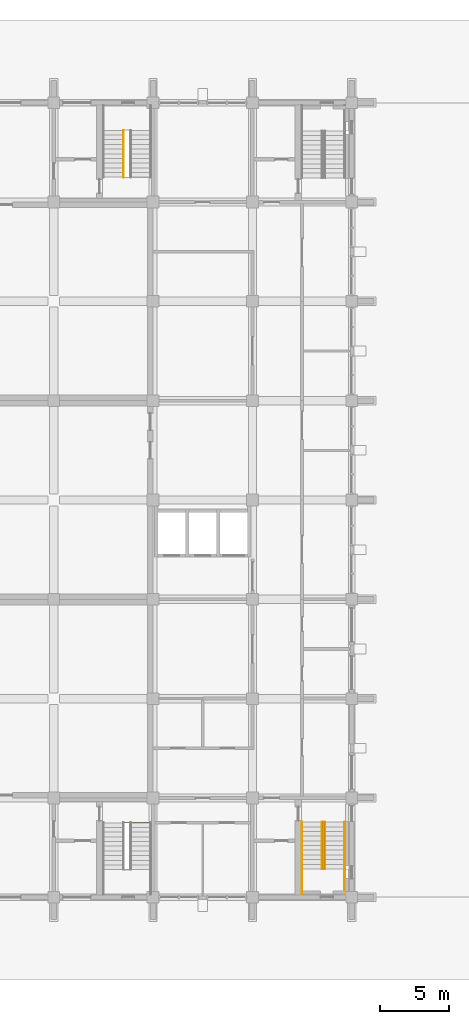
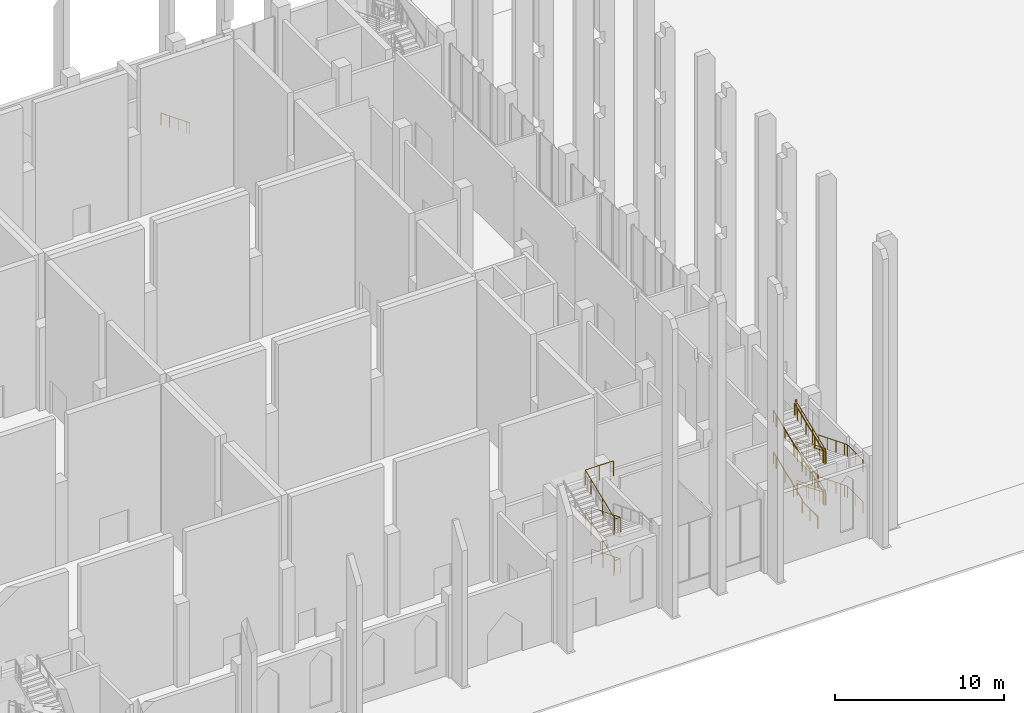
# One storey, part 48 of 50: 11 railings.
"""IFC4 building model written with IfcOpenShell, lengths in metres."""

from ifc_helpers import new_model, si_unit, direction, frame, origin, origin_2d, place, context, subcontext, project, spatial, circle, extrude, material, type_object, element, save


model = new_model("IFC4")

# Units and contexts
model_context = context("Model", 3, precision=1e-05, world=origin(), true_north=direction((0.0, 1.0)))
body_context = subcontext(model_context, "Body", "Model", "MODEL_VIEW")
ifc_project = project(units=[si_unit("LENGTHUNIT", "METRE"), si_unit("AREAUNIT", "SQUARE_METRE"), si_unit("VOLUMEUNIT", "CUBIC_METRE"), si_unit("PLANEANGLEUNIT", "RADIAN"), si_unit("MASSUNIT", "GRAM", prefix="KILO")], contexts=[model_context])

# Site, building, storey
site_placement = place(None, origin())
site = spatial("IfcSite", under=ifc_project, at=site_placement, CompositionType="ELEMENT")
building_placement = place(site_placement, origin())
building = spatial("IfcBuilding", under=site, at=building_placement, Name="Silangan Lancet Faculty of Sciences", CompositionType="ELEMENT")
storey_placement = place(building_placement, origin())
storey = spatial("IfcBuildingStorey", under=building, at=storey_placement, Name="L00", CompositionType="ELEMENT", Elevation=0.0)

# Railings
ifc_material_1 = material(Name="Steel balustrade", Category="steel")
railing_type_1 = type_object("IfcRailingType", Name="STAIR GUARD 1100", PredefinedType="GUARDRAIL", material=ifc_material_1)
railing_1_placement = place(storey_placement, frame((84.39990234375, 5.449951171875, 0.136474609375)))
element("IfcRailing", 1, at=railing_1_placement, inside=storey, type_object=railing_type_1, Name="GUARD-EB-A-L00", PredefinedType="GUARDRAIL", context=body_context, shape_type="SweptSolid", body=[
    extrude(circle(Radius=0.02392578125, at=origin_2d()), frame((0.0, 0.0, 1.076171875), z_axis=(0.0, -0.928131538224, 0.372252397916), x_axis=(1.0, 0.0, 0.0)), (0.0, 0.0, 1.0), 1.465087890625),
    extrude(circle(Radius=0.02392578125, at=origin_2d()), frame((0.0, -1.35986328125, 1.62158203125), z_axis=(0.0, -0.928154623156, 0.372194835421), x_axis=(1.0, 0.0, 0.0)), (0.0, 0.0, 1.0), 1.46533203125),
    extrude(circle(Radius=0.02392578125, at=origin_2d()), frame((0.0, -2.719970703125, 2.1669921875), z_axis=(0.0, -0.928131538224, 0.372252397916), x_axis=(1.0, 0.0, 0.0)), (0.0, 0.0, 1.0), 0.732666015625),
    extrude(circle(Radius=0.02392578125, at=origin_2d()), frame((0.0, -3.39990234375, 2.439453125), z_axis=(-1.0, 0.0, 0.0), x_axis=(0.0, -1.0, 0.0)), (0.0, 0.0, 1.0), 0.099853515625),
    extrude(circle(Radius=0.02392578125, at=origin_2d()), frame((-0.099853515625, -3.39990234375, 2.439453125), z_axis=(0.0, 0.0, 1.0), x_axis=(1.0, 0.0, 0.0)), (0.0, 0.0, 1.0), 0.136474609375),
    extrude(circle(Radius=0.02392578125, at=origin_2d()), frame((-0.099853515625, -3.39990234375, 2.576171875), z_axis=(0.0, 0.928131538224, 0.372252397916), x_axis=(-1.0, 0.0, 0.0)), (0.0, 0.0, 1.0), 1.465087890625),
    extrude(circle(Radius=0.02392578125, at=origin_2d()), frame((-0.099853515625, -2.0400390625, 3.12158203125), z_axis=(0.0, 0.928154623156, 0.372194835421), x_axis=(-1.0, 0.0, 0.0)), (0.0, 0.0, 1.0), 1.46533203125),
    extrude(circle(Radius=0.02392578125, at=origin_2d()), frame((-0.099853515625, -0.679931640625, 3.6669921875), z_axis=(0.0, 0.928131538224, 0.372252397916), x_axis=(-1.0, 0.0, 0.0)), (0.0, 0.0, 1.0), 0.732666015625),
    extrude(circle(Radius=0.02392578125, at=origin_2d()), frame((-0.099853515625, 0.0, 3.939453125), z_axis=(1.0, 0.0, 0.0), x_axis=(0.0, 1.0, 0.0)), (0.0, 0.0, 1.0), 0.099853515625),
    extrude(circle(Radius=0.02392578125, at=origin_2d()), frame((0.0, 0.0, 3.939453125), z_axis=(0.0, 0.0, 1.0), x_axis=(1.0, 0.0, 0.0)), (0.0, 0.0, 1.0), 0.136474609375),
    extrude(circle(Radius=0.02392578125, at=origin_2d()), frame((0.0, 0.0, 4.076171875), z_axis=(0.0, -0.928131538224, 0.372252397916), x_axis=(1.0, 0.0, 0.0)), (0.0, 0.0, 1.0), 1.465087890625),
    extrude(circle(Radius=0.02392578125, at=origin_2d()), frame((0.0, -1.35986328125, 4.62158203125), z_axis=(0.0, -0.928154623156, 0.372194835421), x_axis=(1.0, 0.0, 0.0)), (0.0, 0.0, 1.0), 1.46533203125),
    extrude(circle(Radius=0.02392578125, at=origin_2d()), frame((0.0, -2.719970703125, 5.1669921875), z_axis=(0.0, -0.928131538224, 0.372252397916), x_axis=(1.0, 0.0, 0.0)), (0.0, 0.0, 1.0), 0.732666015625),
    extrude(circle(Radius=0.02392578125, at=origin_2d()), frame((0.0, -3.39990234375, 5.439453125), z_axis=(-1.0, 0.0, 0.0), x_axis=(0.0, -1.0, 0.0)), (0.0, 0.0, 1.0), 0.099853515625),
    extrude(circle(Radius=0.02392578125, at=origin_2d()), frame((-0.099853515625, -3.39990234375, 5.439453125), z_axis=(0.0, 0.0, 1.0), x_axis=(1.0, 0.0, 0.0)), (0.0, 0.0, 1.0), 0.136474609375),
    extrude(circle(Radius=0.02392578125, at=origin_2d()), frame((-0.099853515625, -3.39990234375, 5.576171875), z_axis=(0.0, 0.928131538224, 0.372252397916), x_axis=(-1.0, 0.0, 0.0)), (0.0, 0.0, 1.0), 1.465087890625),
    extrude(circle(Radius=0.02392578125, at=origin_2d()), frame((-0.099853515625, -2.0400390625, 6.12158203125), z_axis=(0.0, 0.928154623156, 0.372194835421), x_axis=(-1.0, 0.0, 0.0)), (0.0, 0.0, 1.0), 1.46533203125),
    extrude(circle(Radius=0.02392578125, at=origin_2d()), frame((-0.099853515625, -0.679931640625, 6.6669921875), z_axis=(0.0, 0.928131538224, 0.372252397916), x_axis=(-1.0, 0.0, 0.0)), (0.0, 0.0, 1.0), 0.732666015625),
    extrude(circle(Radius=0.02392578125, at=origin_2d()), frame((-0.099853515625, 0.0, 6.939453125), z_axis=(1.0, 0.0, 0.0), x_axis=(0.0, 1.0, 0.0)), (0.0, 0.0, 1.0), 0.099853515625),
    extrude(circle(Radius=0.02099609375, at=origin_2d()), origin(), (0.0, 0.0, 1.0), 1.052001953125),
    extrude(circle(Radius=0.02099609375, at=origin_2d()), frame((0.0, -1.35986328125, 0.54541015625)), (0.0, 0.0, 1.0), 1.052001953125),
    extrude(circle(Radius=0.02099609375, at=origin_2d()), frame((0.0, -2.719970703125, 1.0908203125)), (0.0, 0.0, 1.0), 1.052001953125),
    extrude(circle(Radius=0.02099609375, at=origin_2d()), frame((0.0, -3.39990234375, 1.363525390625)), (0.0, 0.0, 1.0), 1.052001953125),
    extrude(circle(Radius=0.02099609375, at=origin_2d()), frame((-0.099853515625, -3.39990234375, 1.363525390625)), (0.0, 0.0, 1.0), 1.052001953125),
    extrude(circle(Radius=0.02099609375, at=origin_2d()), frame((-0.099853515625, -3.39990234375, 1.5)), (0.0, 0.0, 1.0), 1.052001953125),
    extrude(circle(Radius=0.02099609375, at=origin_2d()), frame((-0.099853515625, -2.0400390625, 2.04541015625)), (0.0, 0.0, 1.0), 1.052001953125),
    extrude(circle(Radius=0.02099609375, at=origin_2d()), frame((-0.099853515625, -0.679931640625, 2.5908203125)), (0.0, 0.0, 1.0), 1.052001953125),
    extrude(circle(Radius=0.02099609375, at=origin_2d()), frame((-0.099853515625, 0.0, 2.863525390625)), (0.0, 0.0, 1.0), 1.052001953125),
    extrude(circle(Radius=0.02099609375, at=origin_2d()), frame((0.0, 0.0, 2.863525390625)), (0.0, 0.0, 1.0), 1.052001953125),
    extrude(circle(Radius=0.02099609375, at=origin_2d()), frame((0.0, 0.0, 3.0)), (0.0, 0.0, 1.0), 1.052001953125),
    extrude(circle(Radius=0.02099609375, at=origin_2d()), frame((0.0, -1.35986328125, 3.54541015625)), (0.0, 0.0, 1.0), 1.052001953125),
    extrude(circle(Radius=0.02099609375, at=origin_2d()), frame((0.0, -2.719970703125, 4.0908203125)), (0.0, 0.0, 1.0), 1.052001953125),
    extrude(circle(Radius=0.02099609375, at=origin_2d()), frame((0.0, -3.39990234375, 4.363525390625)), (0.0, 0.0, 1.0), 1.052001953125),
    extrude(circle(Radius=0.02099609375, at=origin_2d()), frame((-0.099853515625, -3.39990234375, 4.363525390625)), (0.0, 0.0, 1.0), 1.052001953125),
    extrude(circle(Radius=0.02099609375, at=origin_2d()), frame((-0.099853515625, -3.39990234375, 4.5)), (0.0, 0.0, 1.0), 1.052001953125),
    extrude(circle(Radius=0.02099609375, at=origin_2d()), frame((-0.099853515625, -2.0400390625, 5.04541015625)), (0.0, 0.0, 1.0), 1.052001953125),
    extrude(circle(Radius=0.02099609375, at=origin_2d()), frame((-0.099853515625, -0.679931640625, 5.5908203125)), (0.0, 0.0, 1.0), 1.052001953125),
    extrude(circle(Radius=0.02099609375, at=origin_2d()), frame((-0.099853515625, 0.0, 5.863525390625)), (0.0, 0.0, 1.0), 1.052001953125),
    extrude(circle(Radius=0.02099609375, at=origin_2d()), frame((0.0, 0.0, 5.863525390625)), (0.0, 0.0, 1.0), 1.052001953125),
])
railing_2_placement = place(storey_placement, frame((70.324951171875, 5.39990234375, 0.136474609375)))
element("IfcRailing", 2, at=railing_2_placement, inside=storey, type_object=railing_type_1, Name="GUARD-SAB-B-L00", PredefinedType="GUARDRAIL", context=body_context, shape_type="SweptSolid", body=[
    extrude(circle(Radius=0.02392578125, at=origin_2d()), frame((0.0, 0.0, 1.076171875), z_axis=(0.0, -0.928131538224, 0.372252397916), x_axis=(1.0, 0.0, 0.0)), (0.0, 0.0, 1.0), 1.465087890625),
    extrude(circle(Radius=0.02392578125, at=origin_2d()), frame((0.0, -1.35986328125, 1.62158203125), z_axis=(0.0, -0.928154623156, 0.372194835421), x_axis=(1.0, 0.0, 0.0)), (0.0, 0.0, 1.0), 1.46533203125),
    extrude(circle(Radius=0.02392578125, at=origin_2d()), frame((0.0, -2.719970703125, 2.1669921875), z_axis=(0.0, -0.928131538224, 0.372252397916), x_axis=(1.0, 0.0, 0.0)), (0.0, 0.0, 1.0), 0.732666015625),
    extrude(circle(Radius=0.02392578125, at=origin_2d()), frame((0.0, -3.39990234375, 2.439453125), z_axis=(-1.0, 0.0, 0.0), x_axis=(0.0, -1.0, 0.0)), (0.0, 0.0, 1.0), 0.425048828125),
    extrude(circle(Radius=0.02392578125, at=origin_2d()), frame((-0.425048828125, -3.39990234375, 2.439453125), z_axis=(0.0, 0.0, 1.0), x_axis=(1.0, 0.0, 0.0)), (0.0, 0.0, 1.0), 0.136474609375),
    extrude(circle(Radius=0.02392578125, at=origin_2d()), frame((-0.425048828125, -3.39990234375, 2.576171875), z_axis=(0.0, 0.928154623156, 0.372194835421), x_axis=(-1.0, 0.0, 0.0)), (0.0, 0.0, 1.0), 1.46533203125),
    extrude(circle(Radius=0.02392578125, at=origin_2d()), frame((-0.425048828125, -2.039794921875, 3.12158203125), z_axis=(0.0, 0.928131538224, 0.372252397916), x_axis=(-1.0, 0.0, 0.0)), (0.0, 0.0, 1.0), 1.465087890625),
    extrude(circle(Radius=0.02392578125, at=origin_2d()), frame((-0.425048828125, -0.679931640625, 3.6669921875), z_axis=(0.0, 0.928131538224, 0.372252397916), x_axis=(-1.0, 0.0, 0.0)), (0.0, 0.0, 1.0), 0.732666015625),
    extrude(circle(Radius=0.02392578125, at=origin_2d()), frame((-0.425048828125, 0.0, 3.939453125), z_axis=(1.0, 0.0, 0.0), x_axis=(0.0, 1.0, 0.0)), (0.0, 0.0, 1.0), 0.425048828125),
    extrude(circle(Radius=0.02392578125, at=origin_2d()), frame((0.0, 0.0, 3.939453125), z_axis=(0.0, 0.0, 1.0), x_axis=(1.0, 0.0, 0.0)), (0.0, 0.0, 1.0), 0.136474609375),
    extrude(circle(Radius=0.02392578125, at=origin_2d()), frame((0.0, 0.0, 4.076171875), z_axis=(0.0, -0.928131538224, 0.372252397916), x_axis=(1.0, 0.0, 0.0)), (0.0, 0.0, 1.0), 1.465087890625),
    extrude(circle(Radius=0.02392578125, at=origin_2d()), frame((0.0, -1.35986328125, 4.62158203125), z_axis=(0.0, -0.928154623156, 0.372194835421), x_axis=(1.0, 0.0, 0.0)), (0.0, 0.0, 1.0), 1.46533203125),
    extrude(circle(Radius=0.02392578125, at=origin_2d()), frame((0.0, -2.719970703125, 5.1669921875), z_axis=(0.0, -0.928131538224, 0.372252397916), x_axis=(1.0, 0.0, 0.0)), (0.0, 0.0, 1.0), 0.732666015625),
    extrude(circle(Radius=0.02392578125, at=origin_2d()), frame((0.0, -3.39990234375, 5.439453125), z_axis=(-1.0, 0.0, 0.0), x_axis=(0.0, -1.0, 0.0)), (0.0, 0.0, 1.0), 0.425048828125),
    extrude(circle(Radius=0.02392578125, at=origin_2d()), frame((-0.425048828125, -3.39990234375, 5.439453125), z_axis=(0.0, 0.0, 1.0), x_axis=(1.0, 0.0, 0.0)), (0.0, 0.0, 1.0), 0.136474609375),
    extrude(circle(Radius=0.02392578125, at=origin_2d()), frame((-0.425048828125, -3.39990234375, 5.576171875), z_axis=(0.0, 0.928154623156, 0.372194835421), x_axis=(-1.0, 0.0, 0.0)), (0.0, 0.0, 1.0), 1.46533203125),
    extrude(circle(Radius=0.02392578125, at=origin_2d()), frame((-0.425048828125, -2.039794921875, 6.12158203125), z_axis=(0.0, 0.928131538224, 0.372252397916), x_axis=(-1.0, 0.0, 0.0)), (0.0, 0.0, 1.0), 1.465087890625),
    extrude(circle(Radius=0.02392578125, at=origin_2d()), frame((-0.425048828125, -0.679931640625, 6.6669921875), z_axis=(0.0, 0.928131538224, 0.372252397916), x_axis=(-1.0, 0.0, 0.0)), (0.0, 0.0, 1.0), 0.732666015625),
    extrude(circle(Radius=0.02392578125, at=origin_2d()), frame((-0.425048828125, 0.0, 6.939453125), z_axis=(1.0, 0.0, 0.0), x_axis=(0.0, 1.0, 0.0)), (0.0, 0.0, 1.0), 1.925048828125),
    extrude(circle(Radius=0.02099609375, at=origin_2d()), origin(), (0.0, 0.0, 1.0), 1.052001953125),
    extrude(circle(Radius=0.02099609375, at=origin_2d()), frame((0.0, -1.35986328125, 0.54541015625)), (0.0, 0.0, 1.0), 1.052001953125),
    extrude(circle(Radius=0.02099609375, at=origin_2d()), frame((0.0, -2.719970703125, 1.0908203125)), (0.0, 0.0, 1.0), 1.052001953125),
    extrude(circle(Radius=0.02099609375, at=origin_2d()), frame((0.0, -3.39990234375, 1.363525390625)), (0.0, 0.0, 1.0), 1.052001953125),
    extrude(circle(Radius=0.02099609375, at=origin_2d()), frame((-0.425048828125, -3.39990234375, 1.363525390625)), (0.0, 0.0, 1.0), 1.052001953125),
    extrude(circle(Radius=0.02099609375, at=origin_2d()), frame((-0.425048828125, -3.39990234375, 1.5)), (0.0, 0.0, 1.0), 1.052001953125),
    extrude(circle(Radius=0.02099609375, at=origin_2d()), frame((-0.425048828125, -2.039794921875, 2.04541015625)), (0.0, 0.0, 1.0), 1.052001953125),
    extrude(circle(Radius=0.02099609375, at=origin_2d()), frame((-0.425048828125, -0.679931640625, 2.5908203125)), (0.0, 0.0, 1.0), 1.052001953125),
    extrude(circle(Radius=0.02099609375, at=origin_2d()), frame((-0.425048828125, 0.0, 2.863525390625)), (0.0, 0.0, 1.0), 1.052001953125),
    extrude(circle(Radius=0.02099609375, at=origin_2d()), frame((0.0, 0.0, 2.863525390625)), (0.0, 0.0, 1.0), 1.052001953125),
    extrude(circle(Radius=0.02099609375, at=origin_2d()), frame((0.0, 0.0, 3.0)), (0.0, 0.0, 1.0), 1.052001953125),
    extrude(circle(Radius=0.02099609375, at=origin_2d()), frame((0.0, -1.35986328125, 3.54541015625)), (0.0, 0.0, 1.0), 1.052001953125),
    extrude(circle(Radius=0.02099609375, at=origin_2d()), frame((0.0, -2.719970703125, 4.0908203125)), (0.0, 0.0, 1.0), 1.052001953125),
    extrude(circle(Radius=0.02099609375, at=origin_2d()), frame((0.0, -3.39990234375, 4.363525390625)), (0.0, 0.0, 1.0), 1.052001953125),
    extrude(circle(Radius=0.02099609375, at=origin_2d()), frame((-0.425048828125, -3.39990234375, 4.363525390625)), (0.0, 0.0, 1.0), 1.052001953125),
    extrude(circle(Radius=0.02099609375, at=origin_2d()), frame((-0.425048828125, -3.39990234375, 4.5)), (0.0, 0.0, 1.0), 1.052001953125),
    extrude(circle(Radius=0.02099609375, at=origin_2d()), frame((-0.425048828125, -2.039794921875, 5.04541015625)), (0.0, 0.0, 1.0), 1.052001953125),
    extrude(circle(Radius=0.02099609375, at=origin_2d()), frame((-0.425048828125, -0.679931640625, 5.5908203125)), (0.0, 0.0, 1.0), 1.052001953125),
    extrude(circle(Radius=0.02099609375, at=origin_2d()), frame((-0.425048828125, 0.0, 5.863525390625)), (0.0, 0.0, 1.0), 1.052001953125),
    extrude(circle(Radius=0.02099609375, at=origin_2d()), frame((0.53759765625, 0.0, 5.863525390625)), (0.0, 0.0, 1.0), 1.052001953125),
    extrude(circle(Radius=0.02099609375, at=origin_2d()), frame((1.5, 0.0, 5.863525390625)), (0.0, 0.0, 1.0), 1.052001953125),
])
ifc_material_2 = material(Name="Stainless steel", Category="steel")
railing_type_2 = type_object("IfcRailingType", Name="STAIR HANDRAIL 865", PredefinedType="HANDRAIL", material=ifc_material_2)
railing_3_placement = place(storey_placement, frame((85.89990234375, 5.449951171875, 0.136474609375)))
element("IfcRailing", 3, at=railing_3_placement, inside=storey, type_object=railing_type_2, Name="HANDRAIL-EB-A-L00-O1", PredefinedType="HANDRAIL", context=body_context, shape_type="SweptSolid", body=[
    extrude(circle(Radius=0.02392578125, at=origin_2d()), frame((0.0, 0.0, 0.8408203125), z_axis=(0.0, -0.9281852992, 0.372118328425), x_axis=(1.0, 0.0, 0.0)), (0.0, 0.0, 1.0), 1.098876953125),
    extrude(circle(Radius=0.02392578125, at=origin_2d()), frame((0.0, -1.02001953125, 1.25), z_axis=(0.0, -0.928108552846, 0.372309701908), x_axis=(1.0, 0.0, 0.0)), (0.0, 0.0, 1.0), 1.09912109375),
    extrude(circle(Radius=0.02392578125, at=origin_2d()), frame((0.0, -2.0400390625, 1.6591796875), z_axis=(0.0, -0.9281852992, 0.372118328425), x_axis=(1.0, 0.0, 0.0)), (0.0, 0.0, 1.0), 1.098876953125),
    extrude(circle(Radius=0.02392578125, at=origin_2d()), frame((0.0, -3.06005859375, 2.06787109375), z_axis=(0.0, -0.927970099223, 0.372654659099), x_axis=(1.0, 0.0, 0.0)), (0.0, 0.0, 1.0), 0.3662109375),
    extrude(circle(Radius=0.02392578125, at=origin_2d()), frame((0.0, -3.39990234375, 2.20458984375), z_axis=(0.0, -1.0, 0.0), x_axis=(1.0, 0.0, 0.0)), (0.0, 0.0, 1.0), 1.85009765625),
    extrude(circle(Radius=0.02099609375, at=origin_2d()), origin(), (0.0, 0.0, 1.0), 0.81689453125),
    extrude(circle(Radius=0.02099609375, at=origin_2d()), frame((0.0, -1.02001953125, 0.408935546875)), (0.0, 0.0, 1.0), 0.81689453125),
    extrude(circle(Radius=0.02099609375, at=origin_2d()), frame((0.0, -2.0400390625, 0.818115234375)), (0.0, 0.0, 1.0), 0.81689453125),
    extrude(circle(Radius=0.02099609375, at=origin_2d()), frame((0.0, -3.06005859375, 1.22705078125)), (0.0, 0.0, 1.0), 0.81689453125),
    extrude(circle(Radius=0.02099609375, at=origin_2d()), frame((0.0, -3.39990234375, 1.363525390625)), (0.0, 0.0, 1.0), 0.81689453125),
    extrude(circle(Radius=0.02099609375, at=origin_2d()), frame((0.0, -4.324951171875, 1.363525390625)), (0.0, 0.0, 1.0), 0.81689453125),
    extrude(circle(Radius=0.02099609375, at=origin_2d()), frame((0.0, -5.25, 1.363525390625)), (0.0, 0.0, 1.0), 0.81689453125),
])
railing_4_placement = place(storey_placement, frame((84.449951171875, 5.449951171875, 0.136474609375)))
element("IfcRailing", 4, at=railing_4_placement, inside=storey, type_object=railing_type_2, Name="HANDRAIL-EB-A-L00-I1", PredefinedType="HANDRAIL", context=body_context, shape_type="SweptSolid", body=[
    extrude(circle(Radius=0.02392578125, at=origin_2d()), frame((0.0, 0.0, 0.8408203125), z_axis=(0.0, -0.9281852992, 0.372118328425), x_axis=(1.0, 0.0, 0.0)), (0.0, 0.0, 1.0), 1.098876953125),
    extrude(circle(Radius=0.02392578125, at=origin_2d()), frame((0.0, -1.02001953125, 1.25), z_axis=(0.0, -0.928108552846, 0.372309701908), x_axis=(1.0, 0.0, 0.0)), (0.0, 0.0, 1.0), 1.09912109375),
    extrude(circle(Radius=0.02392578125, at=origin_2d()), frame((0.0, -2.0400390625, 1.6591796875), z_axis=(0.0, -0.9281852992, 0.372118328425), x_axis=(1.0, 0.0, 0.0)), (0.0, 0.0, 1.0), 1.098876953125),
    extrude(circle(Radius=0.02392578125, at=origin_2d()), frame((0.0, -3.06005859375, 2.06787109375), z_axis=(0.0, -0.927970099223, 0.372654659099), x_axis=(1.0, 0.0, 0.0)), (0.0, 0.0, 1.0), 0.3662109375),
    extrude(circle(Radius=0.02099609375, at=origin_2d()), origin(), (0.0, 0.0, 1.0), 0.81689453125),
    extrude(circle(Radius=0.02099609375, at=origin_2d()), frame((0.0, -1.02001953125, 0.408935546875)), (0.0, 0.0, 1.0), 0.81689453125),
    extrude(circle(Radius=0.02099609375, at=origin_2d()), frame((0.0, -2.0400390625, 0.818115234375)), (0.0, 0.0, 1.0), 0.81689453125),
    extrude(circle(Radius=0.02099609375, at=origin_2d()), frame((0.0, -3.06005859375, 1.22705078125)), (0.0, 0.0, 1.0), 0.81689453125),
    extrude(circle(Radius=0.02099609375, at=origin_2d()), frame((0.0, -3.39990234375, 1.363525390625)), (0.0, 0.0, 1.0), 0.81689453125),
])
railing_5_placement = place(storey_placement, frame((82.800048828125, 0.199951171875, 1.5)))
element("IfcRailing", 5, at=railing_5_placement, inside=storey, type_object=railing_type_2, Name="HANDRAIL-EB-A-L00-O2", PredefinedType="HANDRAIL", context=body_context, shape_type="SweptSolid", body=[
    extrude(circle(Radius=0.02392578125, at=origin_2d()), frame((0.0, 0.0, 0.8408203125), z_axis=(0.0, 1.0, 0.0), x_axis=(-1.0, 0.0, 0.0)), (0.0, 0.0, 1.0), 1.85009765625),
    extrude(circle(Radius=0.02392578125, at=origin_2d()), frame((0.0, 1.85009765625, 0.8408203125), z_axis=(0.0, 0.0, 1.0), x_axis=(1.0, 0.0, 0.0)), (0.0, 0.0, 1.0), 0.136474609375),
    extrude(circle(Radius=0.02392578125, at=origin_2d()), frame((0.0, 1.85009765625, 0.9775390625), z_axis=(0.0, 0.9281852992, 0.372118328425), x_axis=(-1.0, 0.0, 0.0)), (0.0, 0.0, 1.0), 1.098876953125),
    extrude(circle(Radius=0.02392578125, at=origin_2d()), frame((0.0, 2.8701171875, 1.38623046875), z_axis=(0.0, 0.928108552846, 0.372309701908), x_axis=(-1.0, 0.0, 0.0)), (0.0, 0.0, 1.0), 1.09912109375),
    extrude(circle(Radius=0.02392578125, at=origin_2d()), frame((0.0, 3.89013671875, 1.79541015625), z_axis=(0.0, 0.9281852992, 0.372118328425), x_axis=(-1.0, 0.0, 0.0)), (0.0, 0.0, 1.0), 1.098876953125),
    extrude(circle(Radius=0.02392578125, at=origin_2d()), frame((0.0, 4.91015625, 2.20458984375), z_axis=(0.0, 0.927970099223, 0.372654659099), x_axis=(-1.0, 0.0, 0.0)), (0.0, 0.0, 1.0), 0.3662109375),
    extrude(circle(Radius=0.02099609375, at=origin_2d()), origin(), (0.0, 0.0, 1.0), 0.81689453125),
    extrude(circle(Radius=0.02099609375, at=origin_2d()), frame((0.0, 0.925048828125, 0.0)), (0.0, 0.0, 1.0), 0.81689453125),
    extrude(circle(Radius=0.02099609375, at=origin_2d()), frame((0.0, 1.85009765625, 0.0)), (0.0, 0.0, 1.0), 0.81689453125),
    extrude(circle(Radius=0.02099609375, at=origin_2d()), frame((0.0, 1.85009765625, 0.136474609375)), (0.0, 0.0, 1.0), 0.81689453125),
    extrude(circle(Radius=0.02099609375, at=origin_2d()), frame((0.0, 2.8701171875, 0.54541015625)), (0.0, 0.0, 1.0), 0.81689453125),
    extrude(circle(Radius=0.02099609375, at=origin_2d()), frame((0.0, 3.89013671875, 0.95458984375)), (0.0, 0.0, 1.0), 0.81689453125),
    extrude(circle(Radius=0.02099609375, at=origin_2d()), frame((0.0, 4.91015625, 1.363525390625)), (0.0, 0.0, 1.0), 0.81689453125),
    extrude(circle(Radius=0.02099609375, at=origin_2d()), frame((0.0, 5.25, 1.5)), (0.0, 0.0, 1.0), 0.81689453125),
])
railing_6_placement = place(storey_placement, frame((84.25, 2.050048828125, 1.636474609375)))
element("IfcRailing", 6, at=railing_6_placement, inside=storey, type_object=railing_type_2, Name="HANDRAIL-EB-A-L00-I2", PredefinedType="HANDRAIL", context=body_context, shape_type="SweptSolid", body=[
    extrude(circle(Radius=0.02392578125, at=origin_2d()), frame((0.0, 0.0, 0.8408203125), z_axis=(0.0, 0.9281852992, 0.372118328425), x_axis=(-1.0, 0.0, 0.0)), (0.0, 0.0, 1.0), 1.098876953125),
    extrude(circle(Radius=0.02392578125, at=origin_2d()), frame((0.0, 1.02001953125, 1.25), z_axis=(0.0, 0.928108552846, 0.372309701908), x_axis=(-1.0, 0.0, 0.0)), (0.0, 0.0, 1.0), 1.09912109375),
    extrude(circle(Radius=0.02392578125, at=origin_2d()), frame((0.0, 2.0400390625, 1.6591796875), z_axis=(0.0, 0.9281852992, 0.372118328425), x_axis=(-1.0, 0.0, 0.0)), (0.0, 0.0, 1.0), 1.098876953125),
    extrude(circle(Radius=0.02392578125, at=origin_2d()), frame((0.0, 3.06005859375, 2.06787109375), z_axis=(0.0, 0.927970099223, 0.372654659099), x_axis=(-1.0, 0.0, 0.0)), (0.0, 0.0, 1.0), 0.3662109375),
    extrude(circle(Radius=0.02099609375, at=origin_2d()), origin(), (0.0, 0.0, 1.0), 0.81689453125),
    extrude(circle(Radius=0.02099609375, at=origin_2d()), frame((0.0, 1.02001953125, 0.408935546875)), (0.0, 0.0, 1.0), 0.81689453125),
    extrude(circle(Radius=0.02099609375, at=origin_2d()), frame((0.0, 2.0400390625, 0.818115234375)), (0.0, 0.0, 1.0), 0.81689453125),
    extrude(circle(Radius=0.02099609375, at=origin_2d()), frame((0.0, 3.06005859375, 1.22705078125)), (0.0, 0.0, 1.0), 0.81689453125),
    extrude(circle(Radius=0.02099609375, at=origin_2d()), frame((0.0, 3.39990234375, 1.363525390625)), (0.0, 0.0, 1.0), 0.81689453125),
])
railing_7_placement = place(storey_placement, frame((85.89990234375, 5.449951171875, 3.136474609375)))
element("IfcRailing", 7, at=railing_7_placement, inside=storey, type_object=railing_type_2, Name="HANDRAIL-EB-A-L00-O3", PredefinedType="HANDRAIL", context=body_context, shape_type="SweptSolid", body=[
    extrude(circle(Radius=0.02392578125, at=origin_2d()), frame((0.0, 0.0, 0.8408203125), z_axis=(0.0, -0.9281852992, 0.372118328425), x_axis=(1.0, 0.0, 0.0)), (0.0, 0.0, 1.0), 1.098876953125),
    extrude(circle(Radius=0.02392578125, at=origin_2d()), frame((0.0, -1.02001953125, 1.25), z_axis=(0.0, -0.928108552846, 0.372309701908), x_axis=(1.0, 0.0, 0.0)), (0.0, 0.0, 1.0), 1.09912109375),
    extrude(circle(Radius=0.02392578125, at=origin_2d()), frame((0.0, -2.0400390625, 1.6591796875), z_axis=(0.0, -0.9281852992, 0.372118328425), x_axis=(1.0, 0.0, 0.0)), (0.0, 0.0, 1.0), 1.098876953125),
    extrude(circle(Radius=0.02392578125, at=origin_2d()), frame((0.0, -3.06005859375, 2.06787109375), z_axis=(0.0, -0.927970099223, 0.372654659099), x_axis=(1.0, 0.0, 0.0)), (0.0, 0.0, 1.0), 0.3662109375),
    extrude(circle(Radius=0.02392578125, at=origin_2d()), frame((0.0, -3.39990234375, 2.20458984375), z_axis=(0.0, -1.0, 0.0), x_axis=(1.0, 0.0, 0.0)), (0.0, 0.0, 1.0), 1.85009765625),
    extrude(circle(Radius=0.02099609375, at=origin_2d()), origin(), (0.0, 0.0, 1.0), 0.81689453125),
    extrude(circle(Radius=0.02099609375, at=origin_2d()), frame((0.0, -1.02001953125, 0.408935546875)), (0.0, 0.0, 1.0), 0.81689453125),
    extrude(circle(Radius=0.02099609375, at=origin_2d()), frame((0.0, -2.0400390625, 0.818115234375)), (0.0, 0.0, 1.0), 0.81689453125),
    extrude(circle(Radius=0.02099609375, at=origin_2d()), frame((0.0, -3.06005859375, 1.22705078125)), (0.0, 0.0, 1.0), 0.81689453125),
    extrude(circle(Radius=0.02099609375, at=origin_2d()), frame((0.0, -3.39990234375, 1.363525390625)), (0.0, 0.0, 1.0), 0.81689453125),
    extrude(circle(Radius=0.02099609375, at=origin_2d()), frame((0.0, -4.324951171875, 1.363525390625)), (0.0, 0.0, 1.0), 0.81689453125),
    extrude(circle(Radius=0.02099609375, at=origin_2d()), frame((0.0, -5.25, 1.363525390625)), (0.0, 0.0, 1.0), 0.81689453125),
])
railing_8_placement = place(storey_placement, frame((84.449951171875, 5.449951171875, 3.136474609375)))
element("IfcRailing", 8, at=railing_8_placement, inside=storey, type_object=railing_type_2, Name="HANDRAIL-EB-A-L00-I3", PredefinedType="HANDRAIL", context=body_context, shape_type="SweptSolid", body=[
    extrude(circle(Radius=0.02392578125, at=origin_2d()), frame((0.0, 0.0, 0.8408203125), z_axis=(0.0, -0.9281852992, 0.372118328425), x_axis=(1.0, 0.0, 0.0)), (0.0, 0.0, 1.0), 1.098876953125),
    extrude(circle(Radius=0.02392578125, at=origin_2d()), frame((0.0, -1.02001953125, 1.25), z_axis=(0.0, -0.928108552846, 0.372309701908), x_axis=(1.0, 0.0, 0.0)), (0.0, 0.0, 1.0), 1.09912109375),
    extrude(circle(Radius=0.02392578125, at=origin_2d()), frame((0.0, -2.0400390625, 1.6591796875), z_axis=(0.0, -0.9281852992, 0.372118328425), x_axis=(1.0, 0.0, 0.0)), (0.0, 0.0, 1.0), 1.098876953125),
    extrude(circle(Radius=0.02392578125, at=origin_2d()), frame((0.0, -3.06005859375, 2.06787109375), z_axis=(0.0, -0.927970099223, 0.372654659099), x_axis=(1.0, 0.0, 0.0)), (0.0, 0.0, 1.0), 0.3662109375),
    extrude(circle(Radius=0.02099609375, at=origin_2d()), origin(), (0.0, 0.0, 1.0), 0.81689453125),
    extrude(circle(Radius=0.02099609375, at=origin_2d()), frame((0.0, -1.02001953125, 0.408935546875)), (0.0, 0.0, 1.0), 0.81689453125),
    extrude(circle(Radius=0.02099609375, at=origin_2d()), frame((0.0, -2.0400390625, 0.818115234375)), (0.0, 0.0, 1.0), 0.81689453125),
    extrude(circle(Radius=0.02099609375, at=origin_2d()), frame((0.0, -3.06005859375, 1.22705078125)), (0.0, 0.0, 1.0), 0.81689453125),
    extrude(circle(Radius=0.02099609375, at=origin_2d()), frame((0.0, -3.39990234375, 1.363525390625)), (0.0, 0.0, 1.0), 0.81689453125),
])
railing_9_placement = place(storey_placement, frame((82.800048828125, 0.199951171875, 4.5)))
element("IfcRailing", 9, at=railing_9_placement, inside=storey, type_object=railing_type_2, Name="HANDRAIL-EB-A-L00-O4", PredefinedType="HANDRAIL", context=body_context, shape_type="SweptSolid", body=[
    extrude(circle(Radius=0.02392578125, at=origin_2d()), frame((0.0, 0.0, 0.8408203125), z_axis=(0.0, 1.0, 0.0), x_axis=(-1.0, 0.0, 0.0)), (0.0, 0.0, 1.0), 1.85009765625),
    extrude(circle(Radius=0.02392578125, at=origin_2d()), frame((0.0, 1.85009765625, 0.8408203125), z_axis=(0.0, 0.0, 1.0), x_axis=(1.0, 0.0, 0.0)), (0.0, 0.0, 1.0), 0.136474609375),
    extrude(circle(Radius=0.02392578125, at=origin_2d()), frame((0.0, 1.85009765625, 0.9775390625), z_axis=(0.0, 0.9281852992, 0.372118328425), x_axis=(-1.0, 0.0, 0.0)), (0.0, 0.0, 1.0), 1.098876953125),
    extrude(circle(Radius=0.02392578125, at=origin_2d()), frame((0.0, 2.8701171875, 1.38623046875), z_axis=(0.0, 0.928108552846, 0.372309701908), x_axis=(-1.0, 0.0, 0.0)), (0.0, 0.0, 1.0), 1.09912109375),
    extrude(circle(Radius=0.02392578125, at=origin_2d()), frame((0.0, 3.89013671875, 1.79541015625), z_axis=(0.0, 0.9281852992, 0.372118328425), x_axis=(-1.0, 0.0, 0.0)), (0.0, 0.0, 1.0), 1.098876953125),
    extrude(circle(Radius=0.02392578125, at=origin_2d()), frame((0.0, 4.91015625, 2.20458984375), z_axis=(0.0, 0.927970099223, 0.372654659099), x_axis=(-1.0, 0.0, 0.0)), (0.0, 0.0, 1.0), 0.3662109375),
    extrude(circle(Radius=0.02099609375, at=origin_2d()), origin(), (0.0, 0.0, 1.0), 0.81689453125),
    extrude(circle(Radius=0.02099609375, at=origin_2d()), frame((0.0, 0.925048828125, 0.0)), (0.0, 0.0, 1.0), 0.81689453125),
    extrude(circle(Radius=0.02099609375, at=origin_2d()), frame((0.0, 1.85009765625, 0.0)), (0.0, 0.0, 1.0), 0.81689453125),
    extrude(circle(Radius=0.02099609375, at=origin_2d()), frame((0.0, 1.85009765625, 0.136474609375)), (0.0, 0.0, 1.0), 0.81689453125),
    extrude(circle(Radius=0.02099609375, at=origin_2d()), frame((0.0, 2.8701171875, 0.54541015625)), (0.0, 0.0, 1.0), 0.81689453125),
    extrude(circle(Radius=0.02099609375, at=origin_2d()), frame((0.0, 3.89013671875, 0.95458984375)), (0.0, 0.0, 1.0), 0.81689453125),
    extrude(circle(Radius=0.02099609375, at=origin_2d()), frame((0.0, 4.91015625, 1.363525390625)), (0.0, 0.0, 1.0), 0.81689453125),
    extrude(circle(Radius=0.02099609375, at=origin_2d()), frame((0.0, 5.25, 1.5)), (0.0, 0.0, 1.0), 0.81689453125),
])
railing_10_placement = place(storey_placement, frame((84.25, 2.050048828125, 4.636474609375)))
element("IfcRailing", 10, at=railing_10_placement, inside=storey, type_object=railing_type_2, Name="HANDRAIL-EB-A-L00-I4", PredefinedType="HANDRAIL", context=body_context, shape_type="SweptSolid", body=[
    extrude(circle(Radius=0.02392578125, at=origin_2d()), frame((0.0, 0.0, 0.8408203125), z_axis=(0.0, 0.9281852992, 0.372118328425), x_axis=(-1.0, 0.0, 0.0)), (0.0, 0.0, 1.0), 1.098876953125),
    extrude(circle(Radius=0.02392578125, at=origin_2d()), frame((0.0, 1.02001953125, 1.25), z_axis=(0.0, 0.928108552846, 0.372309701908), x_axis=(-1.0, 0.0, 0.0)), (0.0, 0.0, 1.0), 1.09912109375),
    extrude(circle(Radius=0.02392578125, at=origin_2d()), frame((0.0, 2.0400390625, 1.6591796875), z_axis=(0.0, 0.9281852992, 0.372118328425), x_axis=(-1.0, 0.0, 0.0)), (0.0, 0.0, 1.0), 1.098876953125),
    extrude(circle(Radius=0.02392578125, at=origin_2d()), frame((0.0, 3.06005859375, 2.06787109375), z_axis=(0.0, 0.927970099223, 0.372654659099), x_axis=(-1.0, 0.0, 0.0)), (0.0, 0.0, 1.0), 0.3662109375),
    extrude(circle(Radius=0.02099609375, at=origin_2d()), origin(), (0.0, 0.0, 1.0), 0.81689453125),
    extrude(circle(Radius=0.02099609375, at=origin_2d()), frame((0.0, 1.02001953125, 0.408935546875)), (0.0, 0.0, 1.0), 0.81689453125),
    extrude(circle(Radius=0.02099609375, at=origin_2d()), frame((0.0, 2.0400390625, 0.818115234375)), (0.0, 0.0, 1.0), 0.81689453125),
    extrude(circle(Radius=0.02099609375, at=origin_2d()), frame((0.0, 3.06005859375, 1.22705078125)), (0.0, 0.0, 1.0), 0.81689453125),
    extrude(circle(Radius=0.02099609375, at=origin_2d()), frame((0.0, 3.39990234375, 1.363525390625)), (0.0, 0.0, 1.0), 0.81689453125),
])
railing_11_placement = place(storey_placement, frame((69.85009765625, 55.60009765625, 1.636474609375)))
element("IfcRailing", 11, at=railing_11_placement, inside=storey, type_object=railing_type_2, Name="HANDRAIL-NAB-B-L00-I2", PredefinedType="HANDRAIL", context=body_context, shape_type="SweptSolid", body=[
    extrude(circle(Radius=0.02392578125, at=origin_2d()), frame((0.0, 0.0, 0.8408203125), z_axis=(0.0, -0.9281852992, 0.372118328425), x_axis=(1.0, 0.0, 0.0)), (0.0, 0.0, 1.0), 1.098876953125),
    extrude(circle(Radius=0.02392578125, at=origin_2d()), frame((0.0, -1.02001953125, 1.25), z_axis=(0.0, -0.928108552846, 0.372309701908), x_axis=(1.0, 0.0, 0.0)), (0.0, 0.0, 1.0), 1.09912109375),
    extrude(circle(Radius=0.02392578125, at=origin_2d()), frame((0.0, -2.0400390625, 1.6591796875), z_axis=(0.0, -0.9281852992, 0.372118328425), x_axis=(1.0, 0.0, 0.0)), (0.0, 0.0, 1.0), 1.098876953125),
    extrude(circle(Radius=0.02392578125, at=origin_2d()), frame((0.0, -3.06005859375, 2.06787109375), z_axis=(0.0, -0.928062591398, 0.372424255988), x_axis=(1.0, 0.0, 0.0)), (0.0, 0.0, 1.0), 0.366455078125),
    extrude(circle(Radius=0.02099609375, at=origin_2d()), origin(), (0.0, 0.0, 1.0), 0.81689453125),
    extrude(circle(Radius=0.02099609375, at=origin_2d()), frame((0.0, -1.02001953125, 0.408935546875)), (0.0, 0.0, 1.0), 0.81689453125),
    extrude(circle(Radius=0.02099609375, at=origin_2d()), frame((0.0, -2.0400390625, 0.818115234375)), (0.0, 0.0, 1.0), 0.81689453125),
    extrude(circle(Radius=0.02099609375, at=origin_2d()), frame((0.0, -3.06005859375, 1.22705078125)), (0.0, 0.0, 1.0), 0.81689453125),
    extrude(circle(Radius=0.02099609375, at=origin_2d()), frame((0.0, -3.400146484375, 1.363525390625)), (0.0, 0.0, 1.0), 0.81689453125),
])

save(model, "model.ifc")
